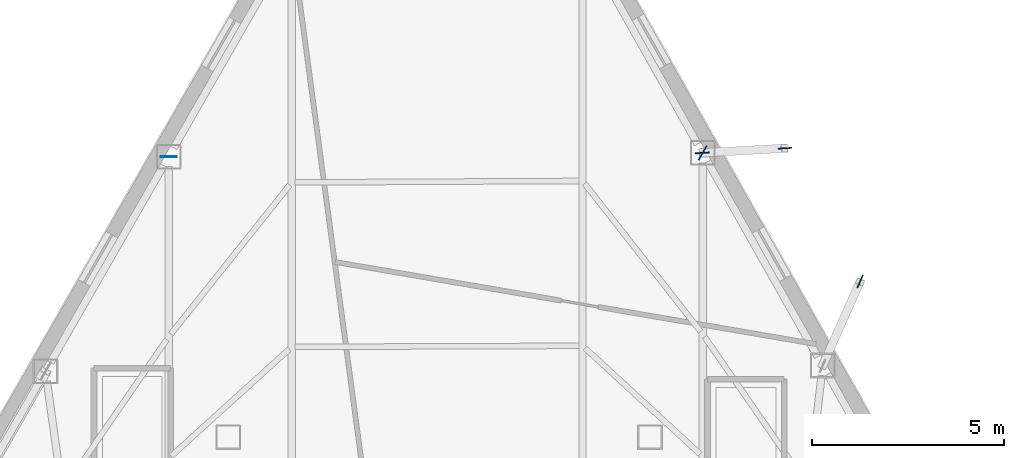
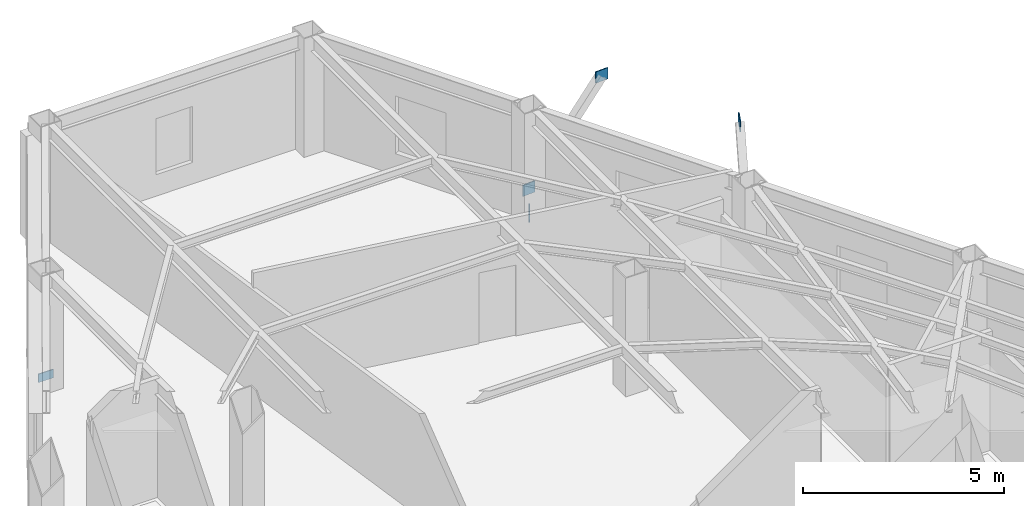
# One storey, part 7 of 12: 5 plates.
"""IFC4 building model written with IfcOpenShell, lengths in metres."""

from ifc_helpers import new_model, si_unit, direction, frame, origin, origin_2d, place, context, subcontext, project, spatial, rectangle, extrude, material, layer, layer_set, type_object, element, save


model = new_model("IFC4")

# Units and contexts
model_context = context("Model", 3, precision=1e-05, world=origin(), true_north=direction((0.0, 1.0)))
body_context = subcontext(model_context, "Body", "Model", "MODEL_VIEW")
ifc_project = project(units=[si_unit("LENGTHUNIT", "METRE"), si_unit("AREAUNIT", "SQUARE_METRE"), si_unit("VOLUMEUNIT", "CUBIC_METRE"), si_unit("PLANEANGLEUNIT", "RADIAN"), si_unit("MASSUNIT", "GRAM", prefix="KILO")], contexts=[model_context])

# Site, building, storey
site_placement = place(None, origin())
site = spatial("IfcSite", under=ifc_project, at=site_placement, CompositionType="ELEMENT")
building_placement = place(site_placement, origin())
building = spatial("IfcBuilding", under=site, at=building_placement, Name="Kavelnor Concourse Tower", CompositionType="ELEMENT")
storey_placement = place(building_placement, frame((0.0, 0.0, 226.60009765625)))
storey = spatial("IfcBuildingStorey", under=building, at=storey_placement, Name="L57", CompositionType="ELEMENT", Elevation=226.60009765625)

# Plates
ifc_material = material(Name="Steel Grade 350", Category="steel")
ifc_layer_1 = layer(ifc_material, 0.028076171875, Name="Steel Grade 350")
ifc_layer_set_1 = layer_set([ifc_layer_1], Name="Steel Grade 350")
plate_type_1 = type_object("IfcPlateType", Name="PL-GUSSET-FOLD", PredefinedType="USERDEFINED", material=ifc_layer_set_1)
for number, where, z_axis, x_axis, name in (
    (1, (48.97998046875, 35.857666015625, 3.48486328125), (0.0, 0.0, 1.0), (0.406896080641, 0.913474454793, 0.0), "L57 Balcony Strut Gusset GP4 2-A End Gusset B"),
    (2, (44.86083984375, 39.21142578125, 0.8798828125), (0.0, 0.0, 1.0), (0.998469855388, 0.055298715004, 0.0), "L57 Balcony Strut Gusset GP4 2-B End Gusset A"),
    (3, (47.021728515625, 39.331298828125, 3.48486328125), (0.0, 0.0, 1.0), (0.998469855388, 0.055298715004, 0.0), "L57 Balcony Strut Gusset GP4 2-B End Gusset B"),
):
    element("IfcPlate", number, at=place(storey_placement, frame(where, z_axis=z_axis, x_axis=x_axis)), inside=storey, type_object=plate_type_1, Name=name, ObjectType="GUSSET_PLATE", PredefinedType="USERDEFINED", context=body_context, shape_type="SweptSolid", body=[
        extrude(rectangle(XDim=0.360107421875, YDim=0.028076171875, at=origin_2d()), origin(), (0.0, 0.0, 1.0), 0.340087890625),
    ])
ifc_layer_2 = layer(ifc_material, 0.02490234375, Name="Steel Grade 350")
ifc_layer_set_2 = layer_set([ifc_layer_2], Name="Steel Grade 350")
plate_type_2 = type_object("IfcPlateType", Name="PL-SPLICE-FLANGE", PredefinedType="SHEET", material=ifc_layer_set_2)
for number, where, z_axis, x_axis, name in (
    (4, (30.946533203125, 39.110595703125, 0.169921875), (0.0, 0.0, 1.0), (1.0, 0.0, 0.0), "L57 Column Flange Splice Plate F0-B1"),
    (5, (44.872802734375, 39.212158203125, 0.169921875), (0.0, 0.0, 1.0), (-0.5, -0.866025403784, 0.0), "L57 Column Flange Splice Plate F2-B5"),
):
    element("IfcPlate", number, at=place(storey_placement, frame(where, z_axis=z_axis, x_axis=x_axis)), inside=storey, type_object=plate_type_2, Name=name, PredefinedType="SHEET", context=body_context, shape_type="SweptSolid", body=[
        extrude(rectangle(XDim=0.419921875, YDim=0.02490234375, at=origin_2d()), origin(), (0.0, 0.0, 1.0), 0.260009765625),
    ])

save(model, "model.ifc")
